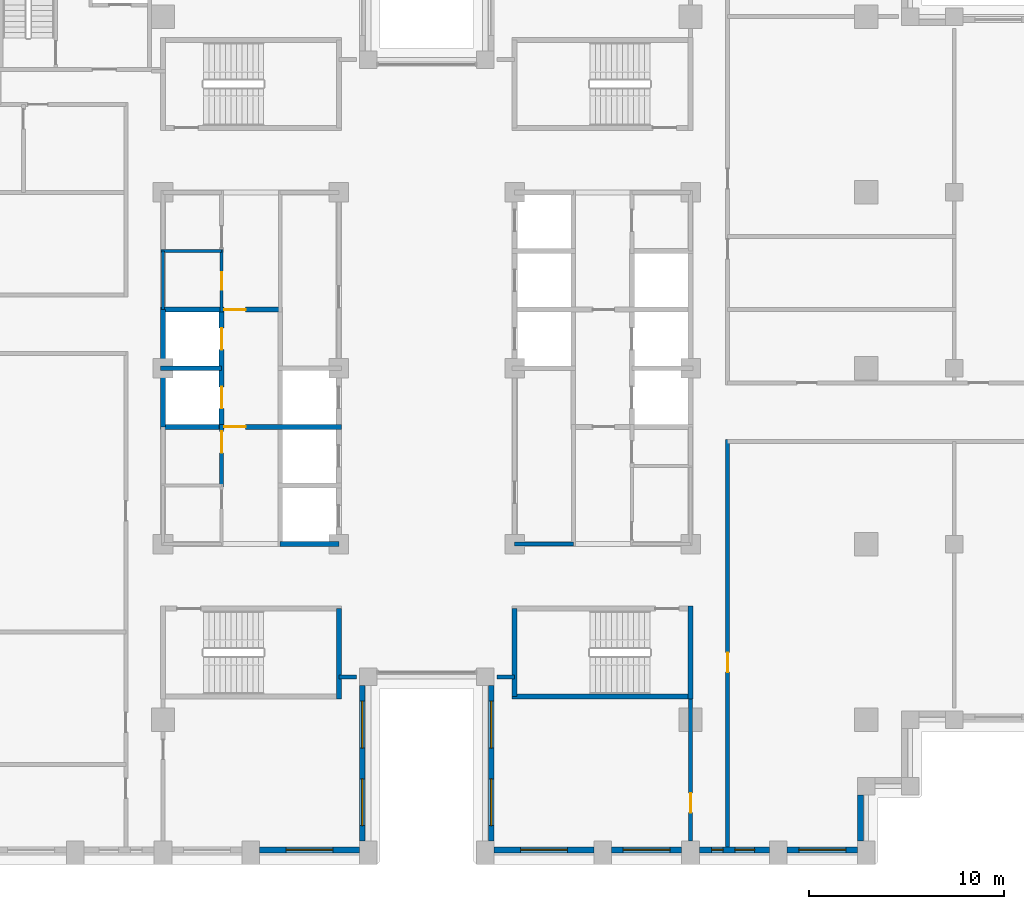
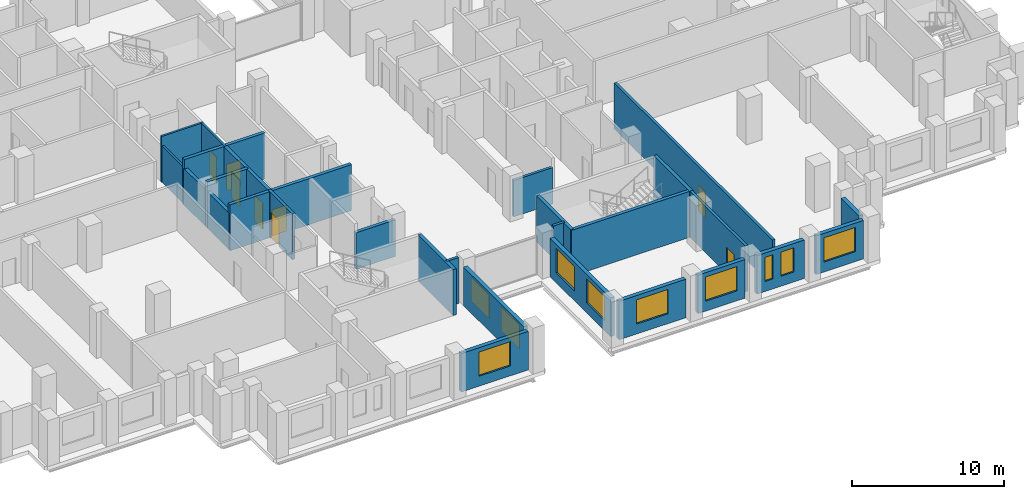
# One storey, part 7 of 15: 27 walls, 10 windows, 8 doors, 18 openings.
"""IFC4 building model written with IfcOpenShell, lengths in metres."""

from ifc_helpers import new_model, si_unit, direction, frame, frame_2d, origin, place, context, subcontext, project, spatial, rectangle, extrude, material, layer, layer_set, type_object, element, fill, save


model = new_model("IFC4")

# Units and contexts
model_context = context("Model", 3, precision=1e-05, world=origin(), true_north=direction((0.0, 1.0)))
body_context = subcontext(model_context, "Body", "Model", "MODEL_VIEW")
ifc_project = project(units=[si_unit("LENGTHUNIT", "METRE"), si_unit("AREAUNIT", "SQUARE_METRE"), si_unit("VOLUMEUNIT", "CUBIC_METRE"), si_unit("PLANEANGLEUNIT", "RADIAN"), si_unit("MASSUNIT", "GRAM", prefix="KILO")], contexts=[model_context])

# Site, building, storey
site_placement = place(None, origin())
site = spatial("IfcSite", under=ifc_project, at=site_placement, CompositionType="ELEMENT")
building_placement = place(site_placement, origin())
building = spatial("IfcBuilding", under=site, at=building_placement, Name="Corbelhall Arena Tower", CompositionType="ELEMENT")
storey_placement = place(building_placement, frame((0.0, 0.0, 88.0)))
storey = spatial("IfcBuildingStorey", under=building, at=storey_placement, Name="L14", CompositionType="ELEMENT", Elevation=88.0)

# Wall, opening, window
ifc_material_1 = material(Name="Precast concrete C40/50 with granite facing", Category="masonry")
ifc_layer_1 = layer(ifc_material_1, 0.300048828125)
ifc_layer_set_1 = layer_set([ifc_layer_1], Name="EV-IW1 Infill panel 300")
wall_type_1 = type_object("IfcWallType", Name="EV-IW1 Infill panel 300", PredefinedType="SOLIDWALL", material=ifc_layer_set_1)
wall_1_placement = place(storey_placement, frame((-8.550048828125, -24.64990234375, 0.0), z_axis=(0.0, 0.0, 1.0), x_axis=(1.0, 0.0, 0.0)))
wall_1 = element("IfcWall", 1, at=wall_1_placement, inside=storey, type_object=wall_type_1, Name="Infill panel IW1", PredefinedType="SOLIDWALL", context=body_context, shape_type="SweptSolid", body=[
    extrude(rectangle(XDim=5.10009765625, YDim=0.300048828125, at=frame_2d((2.550048828125, 0.0))), origin(), (0.0, 0.0, 1.0), 3.10009765625),
])
opening_1_placement = place(wall_1_placement, frame((1.35009765625, 0.0, 0.800048828125)))
opening_1 = element("IfcOpeningElement", 2, at=opening_1_placement, cuts=wall_1, Name="Opening WN1", PredefinedType="OPENING", context=body_context, shape_type="SweptSolid", body=[
    extrude(rectangle(XDim=2.39990234375, YDim=1.949951171875, at=frame_2d((1.199951171875, 0.97509765625))), frame((0.0, 0.14990234375, 0.0), z_axis=(0.0, -1.0, 0.0), x_axis=(1.0, 0.0, 0.0)), (0.0, 0.0, 1.0), 0.300048828125),
])
ifc_material_2 = material(Name="Aluminium black anodised", Category="aluminium")
window_type_1 = type_object("IfcWindowType", Name="EV-WN1 Office window", PartitioningType="SINGLE_PANEL", PredefinedType="WINDOW", material=ifc_material_2)
window_1_placement = place(opening_1_placement, origin())
window_1 = element("IfcWindow", 3, at=window_1_placement, inside=storey, type_object=window_type_1, Name="Window WN1", OverallHeight=1.949951171875, OverallWidth=2.39990234375, PartitioningType="SINGLE_PANEL", PredefinedType="WINDOW", context=body_context, shape_type="SweptSolid", body=[
    extrude(rectangle(XDim=2.39990234375, YDim=1.949951171875, at=frame_2d((1.199951171875, 0.97509765625))), frame((0.0, 0.030029296875, 0.0), z_axis=(0.0, -1.0, 0.0), x_axis=(1.0, 0.0, 0.0)), (0.0, 0.0, 1.0), 0.06005859375),
])
fill(opening_1, window_1)

# Wall, openings, windows
wall_2_placement = place(storey_placement, frame((-3.300048828125, -24.199951171875, 0.0), z_axis=(0.0, 0.0, 1.0), x_axis=(0.0, 1.0, 0.0)))
wall_2 = element("IfcWall", 4, at=wall_2_placement, inside=storey, type_object=wall_type_1, Name="Infill panel IW1", PredefinedType="SOLIDWALL", context=body_context, shape_type="SweptSolid", body=[
    extrude(rectangle(XDim=7.949951171875, YDim=0.300048828125, at=frame_2d((3.97509765625, 0.0))), origin(), (0.0, 0.0, 1.0), 3.10009765625),
])
opening_2_placement = place(wall_2_placement, frame((0.78759765625, 0.0, 0.800048828125)))
opening_2 = element("IfcOpeningElement", 5, at=opening_2_placement, cuts=wall_2, Name="Opening WN1", PredefinedType="OPENING", context=body_context, shape_type="SweptSolid", body=[
    extrude(rectangle(XDim=2.39990234375, YDim=1.949951171875, at=frame_2d((1.199951171875, 0.97509765625))), frame((0.0, 0.14990234375, 0.0), z_axis=(0.0, -1.0, 0.0), x_axis=(1.0, 0.0, 0.0)), (0.0, 0.0, 1.0), 0.300048828125),
])
opening_3_placement = place(wall_2_placement, frame((4.762451171875, 0.0, 0.800048828125)))
opening_3 = element("IfcOpeningElement", 6, at=opening_3_placement, cuts=wall_2, Name="Opening WN1", PredefinedType="OPENING", context=body_context, shape_type="SweptSolid", body=[
    extrude(rectangle(XDim=2.39990234375, YDim=1.949951171875, at=frame_2d((1.199951171875, 0.97509765625))), frame((0.0, 0.14990234375, 0.0), z_axis=(0.0, -1.0, 0.0), x_axis=(1.0, 0.0, 0.0)), (0.0, 0.0, 1.0), 0.300048828125),
])
window_2_placement = place(opening_2_placement, origin())
window_2 = element("IfcWindow", 7, at=window_2_placement, inside=storey, type_object=window_type_1, Name="Window WN1", OverallHeight=1.949951171875, OverallWidth=2.39990234375, PartitioningType="SINGLE_PANEL", PredefinedType="WINDOW", context=body_context, shape_type="SweptSolid", body=[
    extrude(rectangle(XDim=2.39990234375, YDim=1.949951171875, at=frame_2d((1.199951171875, 0.97509765625))), frame((0.0, 0.030029296875, 0.0), z_axis=(0.0, -1.0, 0.0), x_axis=(1.0, 0.0, 0.0)), (0.0, 0.0, 1.0), 0.06005859375),
])
fill(opening_2, window_2)
window_3_placement = place(opening_3_placement, origin())
window_3 = element("IfcWindow", 8, at=window_3_placement, inside=storey, type_object=window_type_1, Name="Window WN1", OverallHeight=1.949951171875, OverallWidth=2.39990234375, PartitioningType="SINGLE_PANEL", PredefinedType="WINDOW", context=body_context, shape_type="SweptSolid", body=[
    extrude(rectangle(XDim=2.39990234375, YDim=1.949951171875, at=frame_2d((1.199951171875, 0.97509765625))), frame((0.0, 0.030029296875, 0.0), z_axis=(0.0, -1.0, 0.0), x_axis=(1.0, 0.0, 0.0)), (0.0, 0.0, 1.0), 0.06005859375),
])
fill(opening_3, window_3)

wall_3_placement = place(storey_placement, frame((3.300048828125, -16.25, 0.0), z_axis=(0.0, 0.0, 1.0), x_axis=(0.0, -1.0, 0.0)))
wall_3 = element("IfcWall", 9, at=wall_3_placement, inside=storey, type_object=wall_type_1, Name="Infill panel IW1", PredefinedType="SOLIDWALL", context=body_context, shape_type="SweptSolid", body=[
    extrude(rectangle(XDim=7.949951171875, YDim=0.300048828125, at=frame_2d((3.97509765625, 0.0))), origin(), (0.0, 0.0, 1.0), 3.10009765625),
])
opening_4_placement = place(wall_3_placement, frame((0.78759765625, 0.0, 0.800048828125)))
opening_4 = element("IfcOpeningElement", 10, at=opening_4_placement, cuts=wall_3, Name="Opening WN1", PredefinedType="OPENING", context=body_context, shape_type="SweptSolid", body=[
    extrude(rectangle(XDim=2.39990234375, YDim=1.949951171875, at=frame_2d((1.199951171875, 0.97509765625))), frame((0.0, 0.14990234375, 0.0), z_axis=(0.0, -1.0, 0.0), x_axis=(1.0, 0.0, 0.0)), (0.0, 0.0, 1.0), 0.300048828125),
])
opening_5_placement = place(wall_3_placement, frame((4.762451171875, 0.0, 0.800048828125)))
opening_5 = element("IfcOpeningElement", 11, at=opening_5_placement, cuts=wall_3, Name="Opening WN1", PredefinedType="OPENING", context=body_context, shape_type="SweptSolid", body=[
    extrude(rectangle(XDim=2.39990234375, YDim=1.949951171875, at=frame_2d((1.199951171875, 0.97509765625))), frame((0.0, 0.14990234375, 0.0), z_axis=(0.0, -1.0, 0.0), x_axis=(1.0, 0.0, 0.0)), (0.0, 0.0, 1.0), 0.300048828125),
])
window_4_placement = place(opening_4_placement, origin())
window_4 = element("IfcWindow", 12, at=window_4_placement, inside=storey, type_object=window_type_1, Name="Window WN1", OverallHeight=1.949951171875, OverallWidth=2.39990234375, PartitioningType="SINGLE_PANEL", PredefinedType="WINDOW", context=body_context, shape_type="SweptSolid", body=[
    extrude(rectangle(XDim=2.39990234375, YDim=1.949951171875, at=frame_2d((1.199951171875, 0.97509765625))), frame((0.0, 0.030029296875, 0.0), z_axis=(0.0, -1.0, 0.0), x_axis=(1.0, 0.0, 0.0)), (0.0, 0.0, 1.0), 0.06005859375),
])
fill(opening_4, window_4)
window_5_placement = place(opening_5_placement, origin())
window_5 = element("IfcWindow", 13, at=window_5_placement, inside=storey, type_object=window_type_1, Name="Window WN1", OverallHeight=1.949951171875, OverallWidth=2.39990234375, PartitioningType="SINGLE_PANEL", PredefinedType="WINDOW", context=body_context, shape_type="SweptSolid", body=[
    extrude(rectangle(XDim=2.39990234375, YDim=1.949951171875, at=frame_2d((1.199951171875, 0.97509765625))), frame((0.0, 0.030029296875, 0.0), z_axis=(0.0, -1.0, 0.0), x_axis=(1.0, 0.0, 0.0)), (0.0, 0.0, 1.0), 0.06005859375),
])
fill(opening_5, window_5)

# Wall, opening, window
wall_4_placement = place(storey_placement, frame((3.449951171875, -24.64990234375, 0.0), z_axis=(0.0, 0.0, 1.0), x_axis=(1.0, 0.0, 0.0)))
wall_4 = element("IfcWall", 14, at=wall_4_placement, inside=storey, type_object=wall_type_1, Name="Infill panel IW1", PredefinedType="SOLIDWALL", context=body_context, shape_type="SweptSolid", body=[
    extrude(rectangle(XDim=5.10009765625, YDim=0.300048828125, at=frame_2d((2.550048828125, 0.0))), origin(), (0.0, 0.0, 1.0), 3.10009765625),
])
opening_6_placement = place(wall_4_placement, frame((1.35009765625, 0.0, 0.800048828125)))
opening_6 = element("IfcOpeningElement", 15, at=opening_6_placement, cuts=wall_4, Name="Opening WN1", PredefinedType="OPENING", context=body_context, shape_type="SweptSolid", body=[
    extrude(rectangle(XDim=2.39990234375, YDim=1.949951171875, at=frame_2d((1.199951171875, 0.97509765625))), frame((0.0, 0.14990234375, 0.0), z_axis=(0.0, -1.0, 0.0), x_axis=(1.0, 0.0, 0.0)), (0.0, 0.0, 1.0), 0.300048828125),
])
window_6_placement = place(opening_6_placement, origin())
window_6 = element("IfcWindow", 16, at=window_6_placement, inside=storey, type_object=window_type_1, Name="Window WN1", OverallHeight=1.949951171875, OverallWidth=2.39990234375, PartitioningType="SINGLE_PANEL", PredefinedType="WINDOW", context=body_context, shape_type="SweptSolid", body=[
    extrude(rectangle(XDim=2.39990234375, YDim=1.949951171875, at=frame_2d((1.199951171875, 0.97509765625))), frame((0.0, 0.030029296875, 0.0), z_axis=(0.0, -1.0, 0.0), x_axis=(1.0, 0.0, 0.0)), (0.0, 0.0, 1.0), 0.06005859375),
])
fill(opening_6, window_6)

wall_5_placement = place(storey_placement, frame((9.449951171875, -24.64990234375, 0.0), z_axis=(0.0, 0.0, 1.0), x_axis=(1.0, 0.0, 0.0)))
wall_5 = element("IfcWall", 17, at=wall_5_placement, inside=storey, type_object=wall_type_1, Name="Infill panel IW1", PredefinedType="SOLIDWALL", context=body_context, shape_type="SweptSolid", body=[
    extrude(rectangle(XDim=3.60009765625, YDim=0.300048828125, at=frame_2d((1.800048828125, 0.0))), origin(), (0.0, 0.0, 1.0), 3.10009765625),
])
opening_7_placement = place(wall_5_placement, frame((0.60009765625, 0.0, 0.800048828125)))
opening_7 = element("IfcOpeningElement", 18, at=opening_7_placement, cuts=wall_5, Name="Opening WN1", PredefinedType="OPENING", context=body_context, shape_type="SweptSolid", body=[
    extrude(rectangle(XDim=2.39990234375, YDim=1.949951171875, at=frame_2d((1.199951171875, 0.97509765625))), frame((0.0, 0.14990234375, 0.0), z_axis=(0.0, -1.0, 0.0), x_axis=(1.0, 0.0, 0.0)), (0.0, 0.0, 1.0), 0.300048828125),
])
window_7_placement = place(opening_7_placement, origin())
window_7 = element("IfcWindow", 19, at=window_7_placement, inside=storey, type_object=window_type_1, Name="Window WN1", OverallHeight=1.949951171875, OverallWidth=2.39990234375, PartitioningType="SINGLE_PANEL", PredefinedType="WINDOW", context=body_context, shape_type="SweptSolid", body=[
    extrude(rectangle(XDim=2.39990234375, YDim=1.949951171875, at=frame_2d((1.199951171875, 0.97509765625))), frame((0.0, 0.030029296875, 0.0), z_axis=(0.0, -1.0, 0.0), x_axis=(1.0, 0.0, 0.0)), (0.0, 0.0, 1.0), 0.06005859375),
])
fill(opening_7, window_7)

# Wall, openings, windows
wall_6_placement = place(storey_placement, frame((13.949951171875, -24.64990234375, 0.0), z_axis=(0.0, 0.0, 1.0), x_axis=(1.0, 0.0, 0.0)))
wall_6 = element("IfcWall", 20, at=wall_6_placement, inside=storey, type_object=wall_type_1, Name="Infill panel IW1", PredefinedType="SOLIDWALL", context=body_context, shape_type="SweptSolid", body=[
    extrude(rectangle(XDim=3.60009765625, YDim=0.300048828125, at=frame_2d((1.800048828125, 0.0))), origin(), (0.0, 0.0, 1.0), 3.10009765625),
])
opening_8_placement = place(wall_6_placement, frame((0.625, 0.0, 0.800048828125)))
opening_8 = element("IfcOpeningElement", 21, at=opening_8_placement, cuts=wall_6, Name="Opening WN5", PredefinedType="OPENING", context=body_context, shape_type="SweptSolid", body=[
    extrude(rectangle(XDim=0.60009765625, YDim=1.949951171875, at=frame_2d((0.300048828125, 0.97509765625))), frame((0.0, 0.14990234375, 0.0), z_axis=(0.0, -1.0, 0.0), x_axis=(1.0, 0.0, 0.0)), (0.0, 0.0, 1.0), 0.300048828125),
])
opening_9_placement = place(wall_6_placement, frame((1.824951171875, 0.0, 0.800048828125)))
opening_9 = element("IfcOpeningElement", 22, at=opening_9_placement, cuts=wall_6, Name="Opening WN6", PredefinedType="OPENING", context=body_context, shape_type="SweptSolid", body=[
    extrude(rectangle(XDim=1.0, YDim=1.949951171875, at=frame_2d((0.5, 0.97509765625))), frame((0.0, 0.14990234375, 0.0), z_axis=(0.0, -1.0, 0.0), x_axis=(1.0, 0.0, 0.0)), (0.0, 0.0, 1.0), 0.300048828125),
])
window_type_2 = type_object("IfcWindowType", Name="EV-WN5 Office window 600", PartitioningType="SINGLE_PANEL", PredefinedType="WINDOW", material=ifc_material_2)
window_8_placement = place(opening_8_placement, origin())
window_8 = element("IfcWindow", 23, at=window_8_placement, inside=storey, type_object=window_type_2, Name="Window WN5", OverallHeight=1.949951171875, OverallWidth=0.60009765625, PartitioningType="SINGLE_PANEL", PredefinedType="WINDOW", context=body_context, shape_type="SweptSolid", body=[
    extrude(rectangle(XDim=0.60009765625, YDim=1.949951171875, at=frame_2d((0.300048828125, 0.97509765625))), frame((0.0, 0.030029296875, 0.0), z_axis=(0.0, -1.0, 0.0), x_axis=(1.0, 0.0, 0.0)), (0.0, 0.0, 1.0), 0.06005859375),
])
fill(opening_8, window_8)
window_type_3 = type_object("IfcWindowType", Name="EV-WN6 Office window 1000", PartitioningType="SINGLE_PANEL", PredefinedType="WINDOW", material=ifc_material_2)
window_9_placement = place(opening_9_placement, origin())
window_9 = element("IfcWindow", 24, at=window_9_placement, inside=storey, type_object=window_type_3, Name="Window WN6", OverallHeight=1.949951171875, OverallWidth=1.0, PartitioningType="SINGLE_PANEL", PredefinedType="WINDOW", context=body_context, shape_type="SweptSolid", body=[
    extrude(rectangle(XDim=1.0, YDim=1.949951171875, at=frame_2d((0.5, 0.97509765625))), frame((0.0, 0.030029296875, 0.0), z_axis=(0.0, -1.0, 0.0), x_axis=(1.0, 0.0, 0.0)), (0.0, 0.0, 1.0), 0.06005859375),
])
fill(opening_9, window_9)

# Wall, opening, window
wall_7_placement = place(storey_placement, frame((18.449951171875, -24.64990234375, 0.0), z_axis=(0.0, 0.0, 1.0), x_axis=(1.0, 0.0, 0.0)))
wall_7 = element("IfcWall", 25, at=wall_7_placement, inside=storey, type_object=wall_type_1, Name="Infill panel IW1", PredefinedType="SOLIDWALL", context=body_context, shape_type="SweptSolid", body=[
    extrude(rectangle(XDim=3.60009765625, YDim=0.300048828125, at=frame_2d((1.800048828125, 0.0))), origin(), (0.0, 0.0, 1.0), 3.10009765625),
])
opening_10_placement = place(wall_7_placement, frame((0.60009765625, 0.0, 0.800048828125)))
opening_10 = element("IfcOpeningElement", 26, at=opening_10_placement, cuts=wall_7, Name="Opening WN1", PredefinedType="OPENING", context=body_context, shape_type="SweptSolid", body=[
    extrude(rectangle(XDim=2.39990234375, YDim=1.949951171875, at=frame_2d((1.199951171875, 0.97509765625))), frame((0.0, 0.14990234375, 0.0), z_axis=(0.0, -1.0, 0.0), x_axis=(1.0, 0.0, 0.0)), (0.0, 0.0, 1.0), 0.300048828125),
])
window_10_placement = place(opening_10_placement, origin())
window_10 = element("IfcWindow", 27, at=window_10_placement, inside=storey, type_object=window_type_1, Name="Window WN1", OverallHeight=1.949951171875, OverallWidth=2.39990234375, PartitioningType="SINGLE_PANEL", PredefinedType="WINDOW", context=body_context, shape_type="SweptSolid", body=[
    extrude(rectangle(XDim=2.39990234375, YDim=1.949951171875, at=frame_2d((1.199951171875, 0.97509765625))), frame((0.0, 0.030029296875, 0.0), z_axis=(0.0, -1.0, 0.0), x_axis=(1.0, 0.0, 0.0)), (0.0, 0.0, 1.0), 0.06005859375),
])
fill(opening_10, window_10)

# Walls
wall_8_placement = place(storey_placement, frame((22.199951171875, -24.199951171875, 0.0), z_axis=(0.0, 0.0, 1.0), x_axis=(0.0, 1.0, 0.0)))
element("IfcWall", 28, at=wall_8_placement, inside=storey, type_object=wall_type_1, Name="Infill panel IW1", PredefinedType="SOLIDWALL", context=body_context, shape_type="SweptSolid", body=[
    extrude(rectangle(XDim=2.349853515625, YDim=0.300048828125, at=frame_2d((1.1748046875, 0.0))), origin(), (0.0, 0.0, 1.0), 3.10009765625),
])
ifc_material_3 = material(Name="Gypsum board on steel stud, acoustic", Category="steel")
ifc_layer_2 = layer(ifc_material_3, 0.199951171875)
ifc_layer_set_2 = layer_set([ifc_layer_2], Name="IN-W-DM200")
wall_type_2 = type_object("IfcWallType", Name="IN-W-DM200", PredefinedType="PARTITIONING", material=ifc_layer_set_2)
for number, where, z_axis, x_axis, name in (
    (29, (-3.60009765625, -15.800048828125, 0.0), (0.0, 0.0, 1.0), (-1.0, 0.0, 0.0), "Partition 023"),
    (30, (4.5, -15.800048828125, 0.0), (0.0, 0.0, 1.0), (-1.0, 0.0, 0.0), "Partition 025"),
):
    element("IfcWall", number, at=place(storey_placement, frame(where, z_axis=z_axis, x_axis=x_axis)), inside=storey, type_object=wall_type_2, Name=name, PredefinedType="PARTITIONING", context=body_context, shape_type="SweptSolid", body=[
        extrude(rectangle(XDim=0.89990234375, YDim=0.199951171875, at=frame_2d((0.449951171875, 0.0))), origin(), (0.0, 0.0, 1.0), 3.699951171875),
    ])

# Wall, opening, door
wall_9_placement = place(storey_placement, frame((13.5, -24.199951171875, 0.0), z_axis=(0.0, 0.0, 1.0), x_axis=(0.0, 1.0, 0.0)))
wall_9 = element("IfcWall", 31, at=wall_9_placement, inside=storey, type_object=wall_type_2, Name="Partition 026", PredefinedType="PARTITIONING", context=body_context, shape_type="SweptSolid", body=[
    extrude(rectangle(XDim=7.52490234375, YDim=0.199951171875, at=frame_2d((3.762451171875, 0.0))), origin(), (0.0, 0.0, 1.0), 3.699951171875),
])
opening_11_placement = place(wall_9_placement, frame((1.449951171875, 0.0, 0.0)))
opening_11 = element("IfcOpeningElement", 32, at=opening_11_placement, cuts=wall_9, Name="Opening 02025", PredefinedType="OPENING", context=body_context, shape_type="SweptSolid", body=[
    extrude(rectangle(XDim=1.0, YDim=2.10009765625, at=frame_2d((0.5, 1.050048828125))), frame((0.0, 0.10009765625, 0.0), z_axis=(0.0, -1.0, 0.0), x_axis=(1.0, 0.0, 0.0)), (0.0, 0.0, 1.0), 0.199951171875),
])
ifc_material_4 = material(Name="Steel door set", Category="steel")
door_type_1 = type_object("IfcDoorType", Name="IN-D-SW100", OperationType="NOTDEFINED", PredefinedType="DOOR", material=ifc_material_4)
door_1_placement = place(opening_11_placement, origin())
door_1 = element("IfcDoor", 33, at=door_1_placement, inside=storey, type_object=door_type_1, Name="Door 025", OperationType="SINGLE_SWING_RIGHT", OverallHeight=2.10009765625, OverallWidth=1.0, PredefinedType="DOOR", context=body_context, shape_type="SweptSolid", body=[
    extrude(rectangle(XDim=1.0, YDim=2.10009765625, at=frame_2d((0.5, 1.050048828125))), frame((0.0, 0.02490234375, 0.0), z_axis=(0.0, -1.0, 0.0), x_axis=(1.0, 0.0, 0.0)), (0.0, 0.0, 1.0), 0.050048828125),
])
fill(opening_11, door_1)

wall_10_placement = place(storey_placement, frame((15.39990234375, -3.64990234375, 0.0), z_axis=(0.0, 0.0, 1.0), x_axis=(0.0, -1.0, 0.0)))
wall_10 = element("IfcWall", 34, at=wall_10_placement, inside=storey, type_object=wall_type_2, Name="Partition 028", PredefinedType="PARTITIONING", context=body_context, shape_type="SweptSolid", body=[
    extrude(rectangle(XDim=20.85009765625, YDim=0.199951171875, at=frame_2d((10.425048828125, 0.0))), origin(), (0.0, 0.0, 1.0), 3.699951171875),
])
opening_12_placement = place(wall_10_placement, frame((10.89990234375, 0.0, 0.0)))
opening_12 = element("IfcOpeningElement", 35, at=opening_12_placement, cuts=wall_10, Name="Opening 02036", PredefinedType="OPENING", context=body_context, shape_type="SweptSolid", body=[
    extrude(rectangle(XDim=1.0, YDim=2.10009765625, at=frame_2d((0.5, 1.050048828125))), frame((0.0, 0.10009765625, 0.0), z_axis=(0.0, -1.0, 0.0), x_axis=(1.0, 0.0, 0.0)), (0.0, 0.0, 1.0), 0.199951171875),
])
door_2_placement = place(opening_12_placement, origin())
door_2 = element("IfcDoor", 36, at=door_2_placement, inside=storey, type_object=door_type_1, Name="Door 036", OperationType="SINGLE_SWING_LEFT", OverallHeight=2.10009765625, OverallWidth=1.0, PredefinedType="DOOR", context=body_context, shape_type="SweptSolid", body=[
    extrude(rectangle(XDim=1.0, YDim=2.10009765625, at=frame_2d((0.5, 1.050048828125))), frame((0.0, 0.02490234375, 0.0), z_axis=(0.0, -1.0, 0.0), x_axis=(1.0, 0.0, 0.0)), (0.0, 0.0, 1.0), 0.050048828125),
])
fill(opening_12, door_2)

ifc_material_5 = material(Name="Concrete block wall", Category="concrete")
ifc_layer_3 = layer(ifc_material_5, 0.199951171875)
ifc_layer_set_3 = layer_set([ifc_layer_3], Name="IN-W-RS200")
wall_type_3 = type_object("IfcWallType", Name="IN-W-RS200", PredefinedType="SOLIDWALL", material=ifc_layer_set_3)
wall_11_placement = place(storey_placement, frame((-10.5, -6.074951171875, 0.0), z_axis=(0.0, 0.0, 1.0), x_axis=(0.0, 1.0, 0.0)))
wall_11 = element("IfcWall", 37, at=wall_11_placement, inside=storey, type_object=wall_type_3, Name="Partition 045", PredefinedType="SOLIDWALL", context=body_context, shape_type="SweptSolid", body=[
    extrude(rectangle(XDim=3.199951171875, YDim=0.199951171875, at=frame_2d((1.60009765625, 0.0))), origin(), (0.0, 0.0, 1.0), 3.699951171875),
])
opening_13_placement = place(wall_11_placement, frame((1.75, 0.0, 0.0)))
opening_13 = element("IfcOpeningElement", 38, at=opening_13_placement, cuts=wall_11, Name="Opening 02005", PredefinedType="OPENING", context=body_context, shape_type="SweptSolid", body=[
    extrude(rectangle(XDim=1.10009765625, YDim=2.10009765625, at=frame_2d((0.550048828125, 1.050048828125))), frame((0.0, 0.10009765625, 0.0), z_axis=(0.0, -1.0, 0.0), x_axis=(1.0, 0.0, 0.0)), (0.0, 0.0, 1.0), 0.199951171875),
])
door_type_2 = type_object("IfcDoorType", Name="IN-D-FD110", OperationType="NOTDEFINED", PredefinedType="DOOR", material=ifc_material_4)
door_3_placement = place(opening_13_placement, origin())
door_3 = element("IfcDoor", 39, at=door_3_placement, inside=storey, type_object=door_type_2, Name="Door 005", OperationType="SINGLE_SWING_RIGHT", OverallHeight=2.10009765625, OverallWidth=1.10009765625, PredefinedType="DOOR", context=body_context, shape_type="SweptSolid", body=[
    extrude(rectangle(XDim=1.10009765625, YDim=2.10009765625, at=frame_2d((0.550048828125, 1.050048828125))), frame((0.0, 0.02490234375, 0.0), z_axis=(0.0, -1.0, 0.0), x_axis=(1.0, 0.0, 0.0)), (0.0, 0.0, 1.0), 0.050048828125),
])
fill(opening_13, door_3)

# Walls
ifc_layer_4 = layer(ifc_material_5, 0.199951171875)
ifc_layer_set_4 = layer_set([ifc_layer_4], Name="IN-W-RS200 under beam 762 mm")
wall_type_4 = type_object("IfcWallType", Name="IN-W-RS200 under beam 762 mm", PredefinedType="SOLIDWALL", material=ifc_layer_set_4)
wall_12_placement = place(storey_placement, frame((7.5, -9.0, 0.0), z_axis=(0.0, 0.0, 1.0), x_axis=(-1.0, 0.0, 0.0)))
element("IfcWall", 40, at=wall_12_placement, inside=storey, type_object=wall_type_4, Name="Partition 051", PredefinedType="SOLIDWALL", context=body_context, shape_type="SweptSolid", body=[
    extrude(rectangle(XDim=3.0, YDim=0.199951171875, at=frame_2d((1.5, 0.0))), origin(), (0.0, 0.0, 1.0), 2.93798828125),
])
ifc_material_6 = material(Name="Concrete C40/50", Category="concrete")
ifc_layer_5 = layer(ifc_material_6, 0.25)
ifc_layer_set_5 = layer_set([ifc_layer_5], Name="IN-W-SH250")
wall_type_5 = type_object("IfcWallType", Name="IN-W-SH250", PredefinedType="SOLIDWALL", material=ifc_layer_set_5)
wall_13_placement = place(storey_placement, frame((-13.625, 0.0, 0.0), z_axis=(0.0, 0.0, 1.0), x_axis=(1.0, 0.0, 0.0)))
element("IfcWall", 41, at=wall_13_placement, inside=storey, type_object=wall_type_5, Name="Shaft wall 058", PredefinedType="SOLIDWALL", context=body_context, shape_type="SweptSolid", body=[
    extrude(rectangle(XDim=3.125, YDim=0.25, at=frame_2d((1.5625, 0.0))), origin(), (0.0, 0.0, 1.0), 3.699951171875),
])

# Wall, opening, door
wall_14_placement = place(storey_placement, frame((-13.625, 3.0, 0.0), z_axis=(0.0, 0.0, 1.0), x_axis=(1.0, 0.0, 0.0)))
wall_14 = element("IfcWall", 42, at=wall_14_placement, inside=storey, type_object=wall_type_5, Name="Shaft wall 059", PredefinedType="SOLIDWALL", context=body_context, shape_type="SweptSolid", body=[
    extrude(rectangle(XDim=6.125, YDim=0.25, at=frame_2d((3.0625, 0.0))), origin(), (0.0, 0.0, 1.0), 3.699951171875),
])
opening_14_placement = place(wall_14_placement, frame((3.25, 0.0, 0.0)))
opening_14 = element("IfcOpeningElement", 43, at=opening_14_placement, cuts=wall_14, Name="Opening 02003", PredefinedType="OPENING", context=body_context, shape_type="SweptSolid", body=[
    extrude(rectangle(XDim=1.10009765625, YDim=2.10009765625, at=frame_2d((0.550048828125, 1.050048828125))), frame((0.0, 0.125, 0.0), z_axis=(0.0, -1.0, 0.0), x_axis=(1.0, 0.0, 0.0)), (0.0, 0.0, 1.0), 0.25),
])
door_4_placement = place(opening_14_placement, origin())
door_4 = element("IfcDoor", 44, at=door_4_placement, inside=storey, type_object=door_type_2, Name="Door 003", OperationType="SINGLE_SWING_RIGHT", OverallHeight=2.10009765625, OverallWidth=1.10009765625, PredefinedType="DOOR", context=body_context, shape_type="SweptSolid", body=[
    extrude(rectangle(XDim=1.10009765625, YDim=2.10009765625, at=frame_2d((0.550048828125, 1.050048828125))), frame((0.0, 0.02490234375, 0.0), z_axis=(0.0, -1.0, 0.0), x_axis=(1.0, 0.0, 0.0)), (0.0, 0.0, 1.0), 0.050048828125),
])
fill(opening_14, door_4)

wall_15_placement = place(storey_placement, frame((-13.625, -3.0, 0.0), z_axis=(0.0, 0.0, 1.0), x_axis=(1.0, 0.0, 0.0)))
wall_15 = element("IfcWall", 45, at=wall_15_placement, inside=storey, type_object=wall_type_5, Name="Shaft wall 061", PredefinedType="SOLIDWALL", context=body_context, shape_type="SweptSolid", body=[
    extrude(rectangle(XDim=9.25, YDim=0.25, at=frame_2d((4.625, 0.0))), origin(), (0.0, 0.0, 1.0), 3.699951171875),
])
opening_15_placement = place(wall_15_placement, frame((3.25, 0.0, 0.0)))
opening_15 = element("IfcOpeningElement", 46, at=opening_15_placement, cuts=wall_15, Name="Opening 02002", PredefinedType="OPENING", context=body_context, shape_type="SweptSolid", body=[
    extrude(rectangle(XDim=1.10009765625, YDim=2.10009765625, at=frame_2d((0.550048828125, 1.050048828125))), frame((0.0, 0.125, 0.0), z_axis=(0.0, -1.0, 0.0), x_axis=(1.0, 0.0, 0.0)), (0.0, 0.0, 1.0), 0.25),
])
door_5_placement = place(opening_15_placement, origin())
door_5 = element("IfcDoor", 47, at=door_5_placement, inside=storey, type_object=door_type_2, Name="Door 002", OperationType="SINGLE_SWING_LEFT", OverallHeight=2.10009765625, OverallWidth=1.10009765625, PredefinedType="DOOR", context=body_context, shape_type="SweptSolid", body=[
    extrude(rectangle(XDim=1.10009765625, YDim=2.10009765625, at=frame_2d((0.550048828125, 1.050048828125))), frame((0.0, 0.02490234375, 0.0), z_axis=(0.0, -1.0, 0.0), x_axis=(1.0, 0.0, 0.0)), (0.0, 0.0, 1.0), 0.050048828125),
])
fill(opening_15, door_5)

# Wall, openings, doors
wall_16_placement = place(storey_placement, frame((-10.5, -3.125, 0.0), z_axis=(0.0, 0.0, 1.0), x_axis=(0.0, 1.0, 0.0)))
wall_16 = element("IfcWall", 48, at=wall_16_placement, inside=storey, type_object=wall_type_5, Name="Shaft wall 062", PredefinedType="SOLIDWALL", context=body_context, shape_type="SweptSolid", body=[
    extrude(rectangle(XDim=6.25, YDim=0.25, at=frame_2d((3.125, 0.0))), origin(), (0.0, 0.0, 1.0), 3.699951171875),
])
opening_16_placement = place(wall_16_placement, frame((1.074951171875, 0.0, 0.0)))
opening_16 = element("IfcOpeningElement", 49, at=opening_16_placement, cuts=wall_16, Name="Opening LD", PredefinedType="OPENING", context=body_context, shape_type="SweptSolid", body=[
    extrude(rectangle(XDim=1.10009765625, YDim=2.10009765625, at=frame_2d((0.550048828125, 1.050048828125))), frame((0.0, 0.125, 0.0), z_axis=(0.0, -1.0, 0.0), x_axis=(1.0, 0.0, 0.0)), (0.0, 0.0, 1.0), 0.25),
])
opening_17_placement = place(wall_16_placement, frame((4.074951171875, 0.0, 0.0)))
opening_17 = element("IfcOpeningElement", 50, at=opening_17_placement, cuts=wall_16, Name="Opening LD", PredefinedType="OPENING", context=body_context, shape_type="SweptSolid", body=[
    extrude(rectangle(XDim=1.10009765625, YDim=2.10009765625, at=frame_2d((0.550048828125, 1.050048828125))), frame((0.0, 0.125, 0.0), z_axis=(0.0, -1.0, 0.0), x_axis=(1.0, 0.0, 0.0)), (0.0, 0.0, 1.0), 0.25),
])
door_type_3 = type_object("IfcDoorType", Name="IN-D-LD110", OperationType="NOTDEFINED", PredefinedType="DOOR", material=ifc_material_4)
door_6_placement = place(opening_16_placement, origin())
door_6 = element("IfcDoor", 51, at=door_6_placement, inside=storey, type_object=door_type_3, Name="Landing door W3", OperationType="SLIDING_TO_LEFT", OverallHeight=2.10009765625, OverallWidth=1.10009765625, PredefinedType="DOOR", context=body_context, shape_type="SweptSolid", body=[
    extrude(rectangle(XDim=1.10009765625, YDim=2.10009765625, at=frame_2d((0.550048828125, 1.050048828125))), frame((0.0, 0.02490234375, 0.0), z_axis=(0.0, -1.0, 0.0), x_axis=(1.0, 0.0, 0.0)), (0.0, 0.0, 1.0), 0.050048828125),
])
fill(opening_16, door_6)
door_7_placement = place(opening_17_placement, origin())
door_7 = element("IfcDoor", 52, at=door_7_placement, inside=storey, type_object=door_type_3, Name="Landing door W4", OperationType="SLIDING_TO_LEFT", OverallHeight=2.10009765625, OverallWidth=1.10009765625, PredefinedType="DOOR", context=body_context, shape_type="SweptSolid", body=[
    extrude(rectangle(XDim=1.10009765625, YDim=2.10009765625, at=frame_2d((0.550048828125, 1.050048828125))), frame((0.0, 0.02490234375, 0.0), z_axis=(0.0, -1.0, 0.0), x_axis=(1.0, 0.0, 0.0)), (0.0, 0.0, 1.0), 0.050048828125),
])
fill(opening_17, door_7)

# Walls
ifc_layer_6 = layer(ifc_material_6, 0.25)
ifc_layer_set_6 = layer_set([ifc_layer_6], Name="IN-W-SH250 under beam 762 mm")
wall_type_6 = type_object("IfcWallType", Name="IN-W-SH250 under beam 762 mm", PredefinedType="SOLIDWALL", material=ifc_layer_set_6)
wall_17_placement = place(storey_placement, frame((-13.5, -3.0, 0.0), z_axis=(0.0, 0.0, 1.0), x_axis=(0.0, 1.0, 0.0)))
element("IfcWall", 53, at=wall_17_placement, inside=storey, type_object=wall_type_6, Name="Shaft wall 060", PredefinedType="SOLIDWALL", context=body_context, shape_type="SweptSolid", body=[
    extrude(rectangle(XDim=6.0, YDim=0.25, at=frame_2d((3.0, 0.0))), origin(), (0.0, 0.0, 1.0), 2.93798828125),
])
wall_18_placement = place(storey_placement, frame((-4.5, -9.0, 0.0), z_axis=(0.0, 0.0, 1.0), x_axis=(-1.0, 0.0, 0.0)))
element("IfcWall", 54, at=wall_18_placement, inside=storey, type_object=wall_type_6, Name="Shaft wall 066", PredefinedType="SOLIDWALL", context=body_context, shape_type="SweptSolid", body=[
    extrude(rectangle(XDim=3.0, YDim=0.25, at=frame_2d((1.5, 0.0))), origin(), (0.0, 0.0, 1.0), 2.93798828125),
])
ifc_layer_7 = layer(ifc_material_6, 0.25)
ifc_layer_set_7 = layer_set([ifc_layer_7], Name="IN-W-ST250")
wall_type_7 = type_object("IfcWallType", Name="IN-W-ST250", PredefinedType="SOLIDWALL", material=ifc_layer_set_7)
wall_19_placement = place(storey_placement, frame((-4.5, -12.300048828125, 0.0), z_axis=(0.0, 0.0, 1.0), x_axis=(0.0, -1.0, 0.0)))
element("IfcWall", 55, at=wall_19_placement, inside=storey, type_object=wall_type_7, Name="Shaft wall 090", PredefinedType="SOLIDWALL", context=body_context, shape_type="SweptSolid", body=[
    extrude(rectangle(XDim=4.625, YDim=0.25, at=frame_2d((2.3125, 0.0))), origin(), (0.0, 0.0, 1.0), 3.699951171875),
])
wall_20_placement = place(storey_placement, frame((4.5, -16.800048828125, 0.0), z_axis=(0.0, 0.0, 1.0), x_axis=(0.0, 1.0, 0.0)))
element("IfcWall", 56, at=wall_20_placement, inside=storey, type_object=wall_type_7, Name="Shaft wall 095", PredefinedType="SOLIDWALL", context=body_context, shape_type="SweptSolid", body=[
    extrude(rectangle(XDim=4.5, YDim=0.25, at=frame_2d((2.25, 0.0))), origin(), (0.0, 0.0, 1.0), 3.699951171875),
])
wall_21_placement = place(storey_placement, frame((13.5, -16.925048828125, 0.0), z_axis=(0.0, 0.0, 1.0), x_axis=(0.0, 1.0, 0.0)))
element("IfcWall", 57, at=wall_21_placement, inside=storey, type_object=wall_type_7, Name="Shaft wall 097", PredefinedType="SOLIDWALL", context=body_context, shape_type="SweptSolid", body=[
    extrude(rectangle(XDim=4.75, YDim=0.25, at=frame_2d((2.375, 0.0))), origin(), (0.0, 0.0, 1.0), 3.699951171875),
])
wall_22_placement = place(storey_placement, frame((13.5, -16.800048828125, 0.0), z_axis=(0.0, 0.0, 1.0), x_axis=(-1.0, 0.0, 0.0)))
element("IfcWall", 58, at=wall_22_placement, inside=storey, type_object=wall_type_7, Name="Shaft wall 098", PredefinedType="SOLIDWALL", context=body_context, shape_type="SweptSolid", body=[
    extrude(rectangle(XDim=9.125, YDim=0.25, at=frame_2d((4.5625, 0.0))), origin(), (0.0, 0.0, 1.0), 3.699951171875),
])
ifc_material_7 = material(Name="Gypsum board on steel stud, moisture resistant", Category="steel")
ifc_layer_8 = layer(ifc_material_7, 0.14990234375)
ifc_layer_set_8 = layer_set([ifc_layer_8], Name="IN-W-WC150")
wall_type_8 = type_object("IfcWallType", Name="IN-W-WC150", PredefinedType="PARTITIONING", material=ifc_layer_set_8)
wall_23_placement = place(storey_placement, frame((-13.60009765625, 6.0, 0.0), z_axis=(0.0, 0.0, 1.0), x_axis=(1.0, 0.0, 0.0)))
element("IfcWall", 59, at=wall_23_placement, inside=storey, type_object=wall_type_8, Name="Partition 108", PredefinedType="PARTITIONING", context=body_context, shape_type="SweptSolid", body=[
    extrude(rectangle(XDim=3.10009765625, YDim=0.14990234375, at=frame_2d((1.550048828125, 0.0))), origin(), (0.0, 0.0, 1.0), 3.699951171875),
])

# Wall, opening, door
wall_24_placement = place(storey_placement, frame((-10.5, 2.875, 0.0), z_axis=(0.0, 0.0, 1.0), x_axis=(0.0, 1.0, 0.0)))
wall_24 = element("IfcWall", 60, at=wall_24_placement, inside=storey, type_object=wall_type_8, Name="Partition 113", PredefinedType="PARTITIONING", context=body_context, shape_type="SweptSolid", body=[
    extrude(rectangle(XDim=3.199951171875, YDim=0.14990234375, at=frame_2d((1.60009765625, 0.0))), origin(), (0.0, 0.0, 1.0), 3.699951171875),
])
opening_18_placement = place(wall_24_placement, frame((1.14990234375, 0.0, 0.0)))
opening_18 = element("IfcOpeningElement", 61, at=opening_18_placement, cuts=wall_24, Name="Opening 02006", PredefinedType="OPENING", context=body_context, shape_type="SweptSolid", body=[
    extrude(rectangle(XDim=0.89990234375, YDim=2.10009765625, at=frame_2d((0.449951171875, 1.050048828125))), frame((0.0, 0.074951171875, 0.0), z_axis=(0.0, -1.0, 0.0), x_axis=(1.0, 0.0, 0.0)), (0.0, 0.0, 1.0), 0.14990234375),
])
ifc_material_8 = material(Name="Timber door set", Category="wood")
door_type_4 = type_object("IfcDoorType", Name="IN-D-SW90", OperationType="NOTDEFINED", PredefinedType="DOOR", material=ifc_material_8)
door_8_placement = place(opening_18_placement, origin())
door_8 = element("IfcDoor", 62, at=door_8_placement, inside=storey, type_object=door_type_4, Name="Door 006", OperationType="SINGLE_SWING_LEFT", OverallHeight=2.10009765625, OverallWidth=0.89990234375, PredefinedType="DOOR", context=body_context, shape_type="SweptSolid", body=[
    extrude(rectangle(XDim=0.89990234375, YDim=2.10009765625, at=frame_2d((0.449951171875, 1.050048828125))), frame((0.0, 0.02490234375, 0.0), z_axis=(0.0, -1.0, 0.0), x_axis=(1.0, 0.0, 0.0)), (0.0, 0.0, 1.0), 0.050048828125),
])
fill(opening_18, door_8)

# Wall
ifc_layer_9 = layer(ifc_material_7, 0.14990234375)
ifc_layer_set_9 = layer_set([ifc_layer_9], Name="IN-W-WC150 under beam 762 mm")
wall_type_9 = type_object("IfcWallType", Name="IN-W-WC150 under beam 762 mm", PredefinedType="PARTITIONING", material=ifc_layer_set_9)
wall_25_placement = place(storey_placement, frame((-13.5, 3.0, 0.0), z_axis=(0.0, 0.0, 1.0), x_axis=(0.0, 1.0, 0.0)))
element("IfcWall", 63, at=wall_25_placement, inside=storey, type_object=wall_type_9, Name="Partition 110", PredefinedType="PARTITIONING", context=body_context, shape_type="SweptSolid", body=[
    extrude(rectangle(XDim=3.0, YDim=0.14990234375, at=frame_2d((1.5, 0.0))), origin(), (0.0, 0.0, 1.0), 2.93798828125),
])

save(model, "model.ifc")
